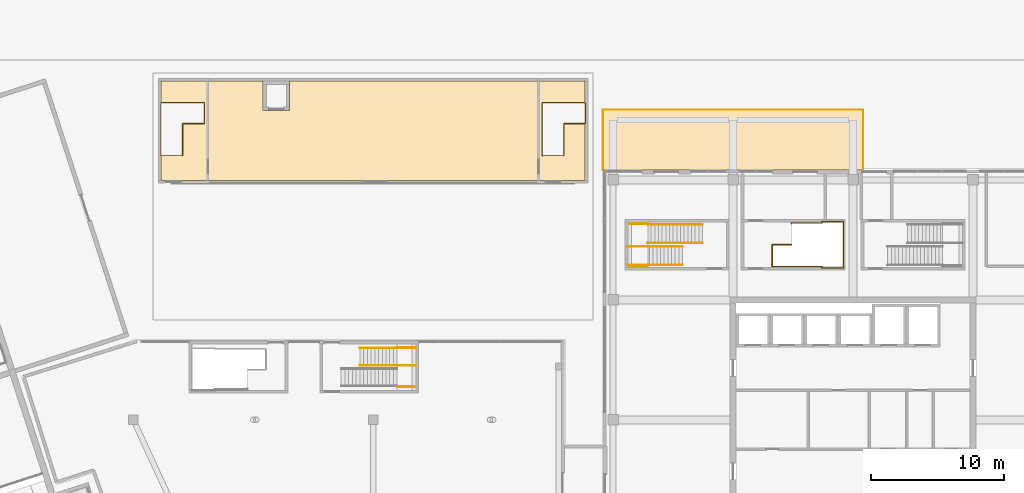
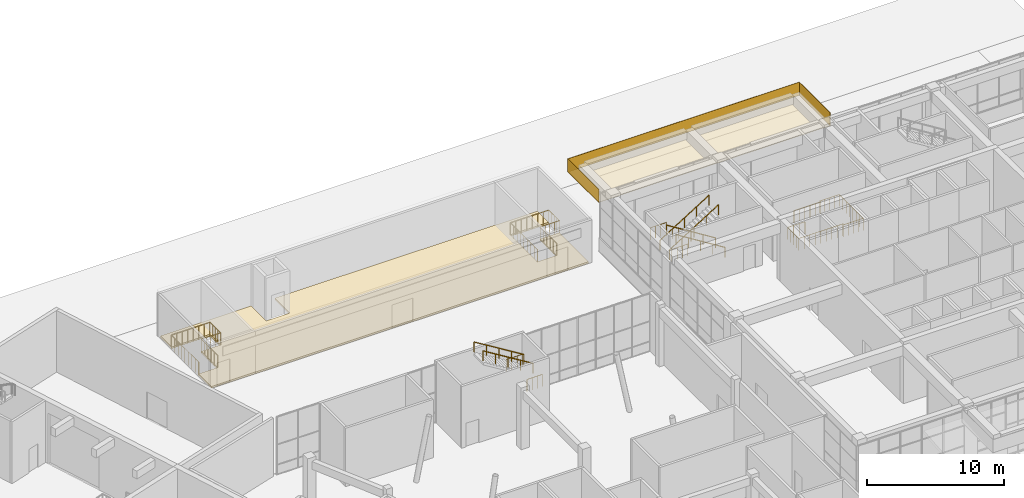
# One storey, part 69 of 72: 14 railings, 3 coverings.
"""IFC4 building model written with IfcOpenShell, lengths in metres."""

from ifc_helpers import new_model, si_unit, direction, frame, origin, origin_2d, place, context, subcontext, project, spatial, polyline, circle, outline, extrude, material, layer, layer_set, type_object, element, save


model = new_model("IFC4")

# Units and contexts
model_context = context("Model", 3, precision=1e-05, world=origin(), true_north=direction((0.0, 1.0)))
body_context = subcontext(model_context, "Body", "Model", "MODEL_VIEW")
ifc_project = project(units=[si_unit("LENGTHUNIT", "METRE"), si_unit("AREAUNIT", "SQUARE_METRE"), si_unit("VOLUMEUNIT", "CUBIC_METRE"), si_unit("PLANEANGLEUNIT", "RADIAN"), si_unit("MASSUNIT", "GRAM", prefix="KILO")], contexts=[model_context])

# Site, building, storey
site_placement = place(None, origin())
site = spatial("IfcSite", under=ifc_project, at=site_placement, CompositionType="ELEMENT")
building_placement = place(site_placement, origin())
building = spatial("IfcBuilding", under=site, at=building_placement, Name="Tuart Plaza Theatre", CompositionType="ELEMENT")
storey_placement = place(building_placement, origin())
storey = spatial("IfcBuildingStorey", under=building, at=storey_placement, Name="L00", CompositionType="ELEMENT", Elevation=0.0)

# Coverings
ifc_material_1 = material(Name="Stone paving", Category="masonry")
ifc_layer_1 = layer(ifc_material_1, 0.14990234375)
ifc_layer_set_1 = layer_set([ifc_layer_1], Name="COVERING-PAVING150")
covering_type_1 = type_object("IfcCoveringType", Name="COVERING-PAVING150", PredefinedType="FLOORING", material=ifc_layer_set_1)
covering_1_placement = place(storey_placement, frame((0.0, 0.0, -0.14990234375)))
element("IfcCovering", 1, at=covering_1_placement, inside=storey, type_object=covering_type_1, Name="D-COV-pavilion", PredefinedType="FLOORING", context=body_context, shape_type="SweptSolid", body=[
    extrude(outline(polyline([(111.89990234375, 91.949951171875), (111.89990234375, 96.219970703125), (110.300048828125, 96.219970703125), (110.300048828125, 93.820068359375), (108.675048828125, 93.820068359375), (108.675048828125, 97.77001953125), (111.89990234375, 97.77001953125), (111.89990234375, 99.39990234375), (89.739990234375, 99.39990234375), (89.739990234375, 97.199951171875), (87.739990234375, 97.199951171875), (87.739990234375, 99.39990234375), (80.10009765625, 99.39990234375), (80.10009765625, 97.77001953125), (83.324951171875, 97.77001953125), (83.324951171875, 96.219970703125), (81.699951171875, 96.219970703125), (81.699951171875, 93.820068359375), (80.10009765625, 93.820068359375), (80.10009765625, 91.949951171875), (111.89990234375, 91.949951171875)])), origin(), (0.0, 0.0, 1.0), 0.14990234375),
])
ifc_material_2 = material(Name="Zinc")
ifc_layer_2 = layer(ifc_material_2, 0.02490234375)
ifc_layer_set_2 = layer_set([ifc_layer_2], Name="COVERING-ZINC-FASCIA25")
covering_type_2 = type_object("IfcCoveringType", Name="COVERING-ZINC-FASCIA25", PredefinedType="CLADDING", material=ifc_layer_set_2)
covering_2_placement = place(storey_placement, frame((0.0, 0.0, 4.324951171875)))
element("IfcCovering", 2, at=covering_2_placement, inside=storey, type_object=covering_type_2, Name="CL85", PredefinedType="CLADDING", context=body_context, shape_type="SweptSolid", body=[
    extrude(outline(polyline([(113.22509765625, 92.72509765625), (113.22509765625, 97.27490234375), (132.77490234375, 97.27490234375), (132.77490234375, 92.750244140625), (132.75, 92.750244140625), (132.75, 97.25), (113.25, 97.25), (113.25, 92.750244140625), (113.25, 92.750244140625), (113.25, 92.750244140625), (113.25, 92.750244140625), (113.25, 92.75), (113.249755859375, 92.75), (113.249755859375, 92.75), (113.249755859375, 92.75), (113.249755859375, 92.75), (113.249755859375, 92.72509765625), (113.22509765625, 92.72509765625)])), origin(), (0.0, 0.0, 1.0), 1.175048828125),
])
ifc_material_3 = material(Name="Zinc")
ifc_layer_3 = layer(ifc_material_3, 0.02490234375)
ifc_layer_set_3 = layer_set([ifc_layer_3], Name="COVERING-ZINC-SOFFIT25")
covering_type_3 = type_object("IfcCoveringType", Name="COVERING-ZINC-SOFFIT25", PredefinedType="CLADDING", material=ifc_layer_set_3)
covering_3_placement = place(storey_placement, frame((0.0, 0.0, 4.324951171875)))
element("IfcCovering", 3, at=covering_3_placement, inside=storey, type_object=covering_type_3, Name="CL84", PredefinedType="CLADDING", context=body_context, shape_type="SweptSolid", body=[
    extrude(outline(polyline([(132.75, 97.25), (132.75, 92.75), (113.25, 92.75), (113.25, 97.25), (132.75, 97.25)])), origin(), (0.0, 0.0, 1.0), 0.025146484375),
])

# Railings
ifc_material_4 = material(Name="Steel Grade C350L0", Category="steel")
railing_type_1 = type_object("IfcRailingType", Name="RAILING Guard 1100", PredefinedType="GUARDRAIL", material=ifc_material_4)
railing_1_placement = place(storey_placement, frame((97.780029296875, 76.47509765625, 2.75)))
element("IfcRailing", 4, at=railing_1_placement, inside=storey, type_object=railing_type_1, Name="GR133", PredefinedType="GUARDRAIL", context=body_context, shape_type="SweptSolid", body=[
    extrude(circle(Radius=0.02490234375, at=origin_2d()), frame((0.0, 0.0, 1.0751953125), z_axis=(1.0, 0.0, 0.0), x_axis=(0.0, 1.0, 0.0)), (0.0, 0.0, 1.0), 1.300048828125),
    extrude(circle(Radius=0.02001953125, at=origin_2d()), origin(), (0.0, 0.0, 1.0), 1.050048828125),
    extrude(circle(Radius=0.02001953125, at=origin_2d()), frame((0.433349609375, 0.0, 0.0)), (0.0, 0.0, 1.0), 1.050048828125),
    extrude(circle(Radius=0.02001953125, at=origin_2d()), frame((0.86669921875, 0.0, 0.0)), (0.0, 0.0, 1.0), 1.050048828125),
    extrude(circle(Radius=0.02001953125, at=origin_2d()), frame((1.300048828125, 0.0, 0.0)), (0.0, 0.0, 1.0), 1.050048828125),
])
railing_2_placement = place(storey_placement, frame((99.080078125, 79.425048828125, 2.75)))
element("IfcRailing", 5, at=railing_2_placement, inside=storey, type_object=railing_type_1, Name="GR134", PredefinedType="GUARDRAIL", context=body_context, shape_type="SweptSolid", body=[
    extrude(circle(Radius=0.02490234375, at=origin_2d()), frame((0.0, 0.0, 1.0751953125), z_axis=(-1.0, 0.0, 0.0), x_axis=(0.0, -1.0, 0.0)), (0.0, 0.0, 1.0), 1.300048828125),
    extrude(circle(Radius=0.02001953125, at=origin_2d()), origin(), (0.0, 0.0, 1.0), 1.050048828125),
    extrude(circle(Radius=0.02001953125, at=origin_2d()), frame((-0.433349609375, 0.0, 0.0)), (0.0, 0.0, 1.0), 1.050048828125),
    extrude(circle(Radius=0.02001953125, at=origin_2d()), frame((-0.86669921875, 0.0, 0.0)), (0.0, 0.0, 1.0), 1.050048828125),
    extrude(circle(Radius=0.02001953125, at=origin_2d()), frame((-1.300048828125, 0.0, 0.0)), (0.0, 0.0, 1.0), 1.050048828125),
])
railing_3_placement = place(storey_placement, frame((116.60009765625, 88.699951171875, 2.75)))
element("IfcRailing", 6, at=railing_3_placement, inside=storey, type_object=railing_type_1, Name="GR360", PredefinedType="GUARDRAIL", context=body_context, shape_type="SweptSolid", body=[
    extrude(circle(Radius=0.02490234375, at=origin_2d()), frame((0.0, 0.0, 1.0751953125), z_axis=(-1.0, 0.0, 0.0), x_axis=(0.0, -1.0, 0.0)), (0.0, 0.0, 1.0), 1.380126953125),
    extrude(circle(Radius=0.02001953125, at=origin_2d()), origin(), (0.0, 0.0, 1.0), 1.050048828125),
    extrude(circle(Radius=0.02001953125, at=origin_2d()), frame((-0.4599609375, 0.0, 0.0)), (0.0, 0.0, 1.0), 1.050048828125),
    extrude(circle(Radius=0.02001953125, at=origin_2d()), frame((-0.920166015625, 0.0, 0.0)), (0.0, 0.0, 1.0), 1.050048828125),
    extrude(circle(Radius=0.02001953125, at=origin_2d()), frame((-1.380126953125, 0.0, 0.0)), (0.0, 0.0, 1.0), 1.050048828125),
])
railing_4_placement = place(storey_placement, frame((115.219970703125, 85.550048828125, 2.75)))
element("IfcRailing", 7, at=railing_4_placement, inside=storey, type_object=railing_type_1, Name="GR361", PredefinedType="GUARDRAIL", context=body_context, shape_type="SweptSolid", body=[
    extrude(circle(Radius=0.02490234375, at=origin_2d()), frame((0.0, 0.0, 1.0751953125), z_axis=(1.0, 0.0, 0.0), x_axis=(0.0, 1.0, 0.0)), (0.0, 0.0, 1.0), 1.380126953125),
    extrude(circle(Radius=0.02001953125, at=origin_2d()), origin(), (0.0, 0.0, 1.0), 1.050048828125),
    extrude(circle(Radius=0.02001953125, at=origin_2d()), frame((0.4599609375, 0.0, 0.0)), (0.0, 0.0, 1.0), 1.050048828125),
    extrude(circle(Radius=0.02001953125, at=origin_2d()), frame((0.920166015625, 0.0, 0.0)), (0.0, 0.0, 1.0), 1.050048828125),
    extrude(circle(Radius=0.02001953125, at=origin_2d()), frame((1.380126953125, 0.0, 0.0)), (0.0, 0.0, 1.0), 1.050048828125),
])
railing_5_placement = place(storey_placement, frame((125.929931640625, 85.5, 0.0)))
element("IfcRailing", 8, at=railing_5_placement, inside=storey, type_object=railing_type_1, Name="GR449", PredefinedType="GUARDRAIL", context=body_context, shape_type="SweptSolid", body=[
    extrude(circle(Radius=0.02490234375, at=origin_2d()), frame((0.0, 0.0, 1.0751953125), z_axis=(0.0, 1.0, 0.0), x_axis=(-1.0, 0.0, 0.0)), (0.0, 0.0, 1.0), 1.625),
    extrude(circle(Radius=0.02490234375, at=origin_2d()), frame((0.0, 1.625, 1.0751953125), z_axis=(1.0, 0.0, 0.0), x_axis=(0.0, 1.0, 0.0)), (0.0, 0.0, 1.0), 1.455078125),
    extrude(circle(Radius=0.02001953125, at=origin_2d()), origin(), (0.0, 0.0, 1.0), 1.050048828125),
    extrude(circle(Radius=0.02001953125, at=origin_2d()), frame((0.0, 0.40625, 0.0)), (0.0, 0.0, 1.0), 1.050048828125),
    extrude(circle(Radius=0.02001953125, at=origin_2d()), frame((0.0, 0.8125, 0.0)), (0.0, 0.0, 1.0), 1.050048828125),
    extrude(circle(Radius=0.02001953125, at=origin_2d()), frame((0.0, 1.21875, 0.0)), (0.0, 0.0, 1.0), 1.050048828125),
    extrude(circle(Radius=0.02001953125, at=origin_2d()), frame((0.0, 1.625, 0.0)), (0.0, 0.0, 1.0), 1.050048828125),
    extrude(circle(Radius=0.02001953125, at=origin_2d()), frame((0.485107421875, 1.625, 0.0)), (0.0, 0.0, 1.0), 1.050048828125),
    extrude(circle(Radius=0.02001953125, at=origin_2d()), frame((0.969970703125, 1.625, 0.0)), (0.0, 0.0, 1.0), 1.050048828125),
    extrude(circle(Radius=0.02001953125, at=origin_2d()), frame((1.455078125, 1.625, 0.0)), (0.0, 0.0, 1.0), 1.050048828125),
])
railing_6_placement = place(storey_placement, frame((127.389892578125, 88.705078125, 0.0)))
element("IfcRailing", 9, at=railing_6_placement, inside=storey, type_object=railing_type_1, Name="GR450", PredefinedType="GUARDRAIL", context=body_context, shape_type="SweptSolid", body=[
    extrude(circle(Radius=0.02490234375, at=origin_2d()), frame((0.0, 0.0, 1.0751953125), z_axis=(0.0, 1.0, 0.0), x_axis=(-1.0, 0.0, 0.0)), (0.0, 0.0, 1.0), 0.044921875),
    extrude(circle(Radius=0.02490234375, at=origin_2d()), frame((0.0, 0.044921875, 1.0751953125), z_axis=(1.0, 0.0, 0.0), x_axis=(0.0, 1.0, 0.0)), (0.0, 0.0, 1.0), 2.260009765625),
    extrude(circle(Radius=0.02490234375, at=origin_2d()), frame((2.260009765625, 0.044921875, 1.0751953125), z_axis=(0.0, 1.0, 0.0), x_axis=(-1.0, 0.0, 0.0)), (0.0, 0.0, 1.0), 0.123046875),
    extrude(circle(Radius=0.02490234375, at=origin_2d()), frame((2.260009765625, 0.16796875, 1.0751953125), z_axis=(1.0, 0.0, 0.0), x_axis=(0.0, 1.0, 0.0)), (0.0, 0.0, 1.0), 1.630126953125),
    extrude(circle(Radius=0.02490234375, at=origin_2d()), frame((3.89013671875, 0.16796875, 1.0751953125), z_axis=(0.0, -1.0, 0.0), x_axis=(1.0, 0.0, 0.0)), (0.0, 0.0, 1.0), 3.49609375),
    extrude(circle(Radius=0.02490234375, at=origin_2d()), frame((3.89013671875, -3.328125, 1.0751953125), z_axis=(-1.0, 0.0, 0.0), x_axis=(0.0, -1.0, 0.0)), (0.0, 0.0, 1.0), 1.630126953125),
    extrude(circle(Radius=0.02490234375, at=origin_2d()), frame((2.260009765625, -3.328125, 1.0751953125), z_axis=(0.0, 1.0, 0.0), x_axis=(-1.0, 0.0, 0.0)), (0.0, 0.0, 1.0), 0.123046875),
    extrude(circle(Radius=0.02490234375, at=origin_2d()), frame((2.260009765625, -3.205078125, 1.0751953125), z_axis=(-1.0, 0.0, 0.0), x_axis=(0.0, -1.0, 0.0)), (0.0, 0.0, 1.0), 3.719970703125),
    extrude(circle(Radius=0.02001953125, at=origin_2d()), origin(), (0.0, 0.0, 1.0), 1.050048828125),
    extrude(circle(Radius=0.02001953125, at=origin_2d()), frame((0.0, 0.044921875, 0.0)), (0.0, 0.0, 1.0), 1.050048828125),
    extrude(circle(Radius=0.02001953125, at=origin_2d()), frame((0.451904296875, 0.044921875, 0.0)), (0.0, 0.0, 1.0), 1.050048828125),
    extrude(circle(Radius=0.02001953125, at=origin_2d()), frame((0.904052734375, 0.044921875, 0.0)), (0.0, 0.0, 1.0), 1.050048828125),
    extrude(circle(Radius=0.02001953125, at=origin_2d()), frame((1.35595703125, 0.044921875, 0.0)), (0.0, 0.0, 1.0), 1.050048828125),
    extrude(circle(Radius=0.02001953125, at=origin_2d()), frame((1.80810546875, 0.044921875, 0.0)), (0.0, 0.0, 1.0), 1.050048828125),
    extrude(circle(Radius=0.02001953125, at=origin_2d()), frame((2.260009765625, 0.044921875, 0.0)), (0.0, 0.0, 1.0), 1.050048828125),
    extrude(circle(Radius=0.02001953125, at=origin_2d()), frame((2.260009765625, 0.16796875, 0.0)), (0.0, 0.0, 1.0), 1.050048828125),
    extrude(circle(Radius=0.02001953125, at=origin_2d()), frame((2.66748046875, 0.16796875, 0.0)), (0.0, 0.0, 1.0), 1.050048828125),
    extrude(circle(Radius=0.02001953125, at=origin_2d()), frame((3.0751953125, 0.16796875, 0.0)), (0.0, 0.0, 1.0), 1.050048828125),
    extrude(circle(Radius=0.02001953125, at=origin_2d()), frame((3.482666015625, 0.16796875, 0.0)), (0.0, 0.0, 1.0), 1.050048828125),
    extrude(circle(Radius=0.02001953125, at=origin_2d()), frame((3.89013671875, 0.16796875, 0.0)), (0.0, 0.0, 1.0), 1.050048828125),
    extrude(circle(Radius=0.02001953125, at=origin_2d()), frame((3.89013671875, -0.33154296875, 0.0)), (0.0, 0.0, 1.0), 1.050048828125),
    extrude(circle(Radius=0.02001953125, at=origin_2d()), frame((3.89013671875, -0.830810546875, 0.0)), (0.0, 0.0, 1.0), 1.050048828125),
    extrude(circle(Radius=0.02001953125, at=origin_2d()), frame((3.89013671875, -1.330322265625, 0.0)), (0.0, 0.0, 1.0), 1.050048828125),
    extrude(circle(Radius=0.02001953125, at=origin_2d()), frame((3.89013671875, -1.829833984375, 0.0)), (0.0, 0.0, 1.0), 1.050048828125),
    extrude(circle(Radius=0.02001953125, at=origin_2d()), frame((3.89013671875, -2.329345703125, 0.0)), (0.0, 0.0, 1.0), 1.050048828125),
    extrude(circle(Radius=0.02001953125, at=origin_2d()), frame((3.89013671875, -2.82861328125, 0.0)), (0.0, 0.0, 1.0), 1.050048828125),
    extrude(circle(Radius=0.02001953125, at=origin_2d()), frame((3.89013671875, -3.328125, 0.0)), (0.0, 0.0, 1.0), 1.050048828125),
    extrude(circle(Radius=0.02001953125, at=origin_2d()), frame((3.482666015625, -3.328125, 0.0)), (0.0, 0.0, 1.0), 1.050048828125),
    extrude(circle(Radius=0.02001953125, at=origin_2d()), frame((3.0751953125, -3.328125, 0.0)), (0.0, 0.0, 1.0), 1.050048828125),
    extrude(circle(Radius=0.02001953125, at=origin_2d()), frame((2.66748046875, -3.328125, 0.0)), (0.0, 0.0, 1.0), 1.050048828125),
    extrude(circle(Radius=0.02001953125, at=origin_2d()), frame((2.260009765625, -3.328125, 0.0)), (0.0, 0.0, 1.0), 1.050048828125),
    extrude(circle(Radius=0.02001953125, at=origin_2d()), frame((2.260009765625, -3.205078125, 0.0)), (0.0, 0.0, 1.0), 1.050048828125),
    extrude(circle(Radius=0.02001953125, at=origin_2d()), frame((1.794921875, -3.205078125, 0.0)), (0.0, 0.0, 1.0), 1.050048828125),
    extrude(circle(Radius=0.02001953125, at=origin_2d()), frame((1.330078125, -3.205078125, 0.0)), (0.0, 0.0, 1.0), 1.050048828125),
    extrude(circle(Radius=0.02001953125, at=origin_2d()), frame((0.864990234375, -3.205078125, 0.0)), (0.0, 0.0, 1.0), 1.050048828125),
    extrude(circle(Radius=0.02001953125, at=origin_2d()), frame((0.39990234375, -3.205078125, 0.0)), (0.0, 0.0, 1.0), 1.050048828125),
    extrude(circle(Radius=0.02001953125, at=origin_2d()), frame((-0.06494140625, -3.205078125, 0.0)), (0.0, 0.0, 1.0), 1.050048828125),
    extrude(circle(Radius=0.02001953125, at=origin_2d()), frame((-0.530029296875, -3.205078125, 0.0)), (0.0, 0.0, 1.0), 1.050048828125),
    extrude(circle(Radius=0.02001953125, at=origin_2d()), frame((-0.994873046875, -3.205078125, 0.0)), (0.0, 0.0, 1.0), 1.050048828125),
    extrude(circle(Radius=0.02001953125, at=origin_2d()), frame((-1.4599609375, -3.205078125, 0.0)), (0.0, 0.0, 1.0), 1.050048828125),
])
ifc_material_5 = material(Name="Steel Grade C350L0", Category="steel")
railing_type_2 = type_object("IfcRailingType", Name="RAILING Guard 1250", PredefinedType="GUARDRAIL", material=ifc_material_5)
railing_7_placement = place(storey_placement, frame((81.699951171875, 93.824951171875, -0.14990234375)))
element("IfcRailing", 10, at=railing_7_placement, inside=storey, type_object=railing_type_2, Name="GR465", PredefinedType="GUARDRAIL", context=body_context, shape_type="SweptSolid", body=[
    extrude(circle(Radius=0.02490234375, at=origin_2d()), frame((0.0, 0.0, 1.22509765625), z_axis=(0.0, 1.0, 0.0), x_axis=(-1.0, 0.0, 0.0)), (0.0, 0.0, 1.0), 2.39501953125),
    extrude(circle(Radius=0.02490234375, at=origin_2d()), frame((0.0, 2.39501953125, 1.22509765625), z_axis=(1.0, 0.0, 0.0), x_axis=(0.0, 1.0, 0.0)), (0.0, 0.0, 1.0), 1.625),
    extrude(circle(Radius=0.02490234375, at=origin_2d()), frame((1.625, 2.39501953125, 1.22509765625), z_axis=(0.0, 1.0, 0.0), x_axis=(-1.0, 0.0, 0.0)), (0.0, 0.0, 1.0), 1.550048828125),
    extrude(circle(Radius=0.02490234375, at=origin_2d()), frame((1.625, 3.945068359375, 1.22509765625), z_axis=(-1.0, 0.0, 0.0), x_axis=(0.0, -1.0, 0.0)), (0.0, 0.0, 1.0), 3.25),
    extrude(circle(Radius=0.02490234375, at=origin_2d()), frame((-1.625, 3.945068359375, 1.22509765625), z_axis=(0.0, -1.0, 0.0), x_axis=(1.0, 0.0, 0.0)), (0.0, 0.0, 1.0), 3.949951171875),
    extrude(circle(Radius=0.02490234375, at=origin_2d()), frame((-1.625, -0.0048828125, 1.22509765625), z_axis=(1.0, 0.0, 0.0), x_axis=(0.0, 1.0, 0.0)), (0.0, 0.0, 1.0), 0.045166015625),
    extrude(circle(Radius=0.02001953125, at=origin_2d()), origin(), (0.0, 0.0, 1.0), 1.199951171875),
    extrude(circle(Radius=0.02001953125, at=origin_2d()), frame((0.0, 0.47900390625, 0.0)), (0.0, 0.0, 1.0), 1.199951171875),
    extrude(circle(Radius=0.02001953125, at=origin_2d()), frame((0.0, 0.9580078125, 0.0)), (0.0, 0.0, 1.0), 1.199951171875),
    extrude(circle(Radius=0.02001953125, at=origin_2d()), frame((0.0, 1.43701171875, 0.0)), (0.0, 0.0, 1.0), 1.199951171875),
    extrude(circle(Radius=0.02001953125, at=origin_2d()), frame((0.0, 1.916015625, 0.0)), (0.0, 0.0, 1.0), 1.199951171875),
    extrude(circle(Radius=0.02001953125, at=origin_2d()), frame((0.0, 2.39501953125, 0.0)), (0.0, 0.0, 1.0), 1.199951171875),
    extrude(circle(Radius=0.02001953125, at=origin_2d()), frame((0.40625, 2.39501953125, 0.0)), (0.0, 0.0, 1.0), 1.199951171875),
    extrude(circle(Radius=0.02001953125, at=origin_2d()), frame((0.8125, 2.39501953125, 0.0)), (0.0, 0.0, 1.0), 1.199951171875),
    extrude(circle(Radius=0.02001953125, at=origin_2d()), frame((1.21875, 2.39501953125, 0.0)), (0.0, 0.0, 1.0), 1.199951171875),
    extrude(circle(Radius=0.02001953125, at=origin_2d()), frame((1.625, 2.39501953125, 0.0)), (0.0, 0.0, 1.0), 1.199951171875),
    extrude(circle(Radius=0.02001953125, at=origin_2d()), frame((1.625, 2.782470703125, 0.0)), (0.0, 0.0, 1.0), 1.199951171875),
    extrude(circle(Radius=0.02001953125, at=origin_2d()), frame((1.625, 3.169921875, 0.0)), (0.0, 0.0, 1.0), 1.199951171875),
    extrude(circle(Radius=0.02001953125, at=origin_2d()), frame((1.625, 3.5576171875, 0.0)), (0.0, 0.0, 1.0), 1.199951171875),
    extrude(circle(Radius=0.02001953125, at=origin_2d()), frame((1.625, 3.945068359375, 0.0)), (0.0, 0.0, 1.0), 1.199951171875),
    extrude(circle(Radius=0.02001953125, at=origin_2d()), frame((1.16064453125, 3.945068359375, 0.0)), (0.0, 0.0, 1.0), 1.199951171875),
    extrude(circle(Radius=0.02001953125, at=origin_2d()), frame((0.696533203125, 3.945068359375, 0.0)), (0.0, 0.0, 1.0), 1.199951171875),
    extrude(circle(Radius=0.02001953125, at=origin_2d()), frame((0.232177734375, 3.945068359375, 0.0)), (0.0, 0.0, 1.0), 1.199951171875),
    extrude(circle(Radius=0.02001953125, at=origin_2d()), frame((-0.232177734375, 3.945068359375, 0.0)), (0.0, 0.0, 1.0), 1.199951171875),
    extrude(circle(Radius=0.02001953125, at=origin_2d()), frame((-0.696533203125, 3.945068359375, 0.0)), (0.0, 0.0, 1.0), 1.199951171875),
    extrude(circle(Radius=0.02001953125, at=origin_2d()), frame((-1.16064453125, 3.945068359375, 0.0)), (0.0, 0.0, 1.0), 1.199951171875),
    extrude(circle(Radius=0.02001953125, at=origin_2d()), frame((-1.625, 3.945068359375, 0.0)), (0.0, 0.0, 1.0), 1.199951171875),
    extrude(circle(Radius=0.02001953125, at=origin_2d()), frame((-1.625, 3.451416015625, 0.0)), (0.0, 0.0, 1.0), 1.199951171875),
    extrude(circle(Radius=0.02001953125, at=origin_2d()), frame((-1.625, 2.95751953125, 0.0)), (0.0, 0.0, 1.0), 1.199951171875),
    extrude(circle(Radius=0.02001953125, at=origin_2d()), frame((-1.625, 2.4638671875, 0.0)), (0.0, 0.0, 1.0), 1.199951171875),
    extrude(circle(Radius=0.02001953125, at=origin_2d()), frame((-1.625, 1.97021484375, 0.0)), (0.0, 0.0, 1.0), 1.199951171875),
    extrude(circle(Radius=0.02001953125, at=origin_2d()), frame((-1.625, 1.476318359375, 0.0)), (0.0, 0.0, 1.0), 1.199951171875),
    extrude(circle(Radius=0.02001953125, at=origin_2d()), frame((-1.625, 0.982666015625, 0.0)), (0.0, 0.0, 1.0), 1.199951171875),
    extrude(circle(Radius=0.02001953125, at=origin_2d()), frame((-1.625, 0.48876953125, 0.0)), (0.0, 0.0, 1.0), 1.199951171875),
    extrude(circle(Radius=0.02001953125, at=origin_2d()), frame((-1.625, -0.0048828125, 0.0)), (0.0, 0.0, 1.0), 1.199951171875),
    extrude(circle(Radius=0.02001953125, at=origin_2d()), frame((-1.579833984375, -0.0048828125, 0.0)), (0.0, 0.0, 1.0), 1.199951171875),
])
railing_8_placement = place(storey_placement, frame((110.300048828125, 93.824951171875, -0.14990234375)))
element("IfcRailing", 11, at=railing_8_placement, inside=storey, type_object=railing_type_2, Name="GR469", PredefinedType="GUARDRAIL", context=body_context, shape_type="SweptSolid", body=[
    extrude(circle(Radius=0.02490234375, at=origin_2d()), frame((0.0, 0.0, 1.22509765625), z_axis=(0.0, 1.0, 0.0), x_axis=(-1.0, 0.0, 0.0)), (0.0, 0.0, 1.0), 2.39501953125),
    extrude(circle(Radius=0.02490234375, at=origin_2d()), frame((0.0, 2.39501953125, 1.22509765625), z_axis=(1.0, 0.0, 0.0), x_axis=(0.0, 1.0, 0.0)), (0.0, 0.0, 1.0), 1.625),
    extrude(circle(Radius=0.02490234375, at=origin_2d()), frame((1.625, 2.39501953125, 1.22509765625), z_axis=(0.0, 1.0, 0.0), x_axis=(-1.0, 0.0, 0.0)), (0.0, 0.0, 1.0), 1.550048828125),
    extrude(circle(Radius=0.02490234375, at=origin_2d()), frame((1.625, 3.945068359375, 1.22509765625), z_axis=(-1.0, 0.0, 0.0), x_axis=(0.0, -1.0, 0.0)), (0.0, 0.0, 1.0), 3.25),
    extrude(circle(Radius=0.02490234375, at=origin_2d()), frame((-1.625, 3.945068359375, 1.22509765625), z_axis=(0.0, -1.0, 0.0), x_axis=(1.0, 0.0, 0.0)), (0.0, 0.0, 1.0), 3.949951171875),
    extrude(circle(Radius=0.02490234375, at=origin_2d()), frame((-1.625, -0.0048828125, 1.22509765625), z_axis=(1.0, 0.0, 0.0), x_axis=(0.0, 1.0, 0.0)), (0.0, 0.0, 1.0), 0.044921875),
    extrude(circle(Radius=0.02001953125, at=origin_2d()), origin(), (0.0, 0.0, 1.0), 1.199951171875),
    extrude(circle(Radius=0.02001953125, at=origin_2d()), frame((0.0, 0.47900390625, 0.0)), (0.0, 0.0, 1.0), 1.199951171875),
    extrude(circle(Radius=0.02001953125, at=origin_2d()), frame((0.0, 0.9580078125, 0.0)), (0.0, 0.0, 1.0), 1.199951171875),
    extrude(circle(Radius=0.02001953125, at=origin_2d()), frame((0.0, 1.43701171875, 0.0)), (0.0, 0.0, 1.0), 1.199951171875),
    extrude(circle(Radius=0.02001953125, at=origin_2d()), frame((0.0, 1.916015625, 0.0)), (0.0, 0.0, 1.0), 1.199951171875),
    extrude(circle(Radius=0.02001953125, at=origin_2d()), frame((0.0, 2.39501953125, 0.0)), (0.0, 0.0, 1.0), 1.199951171875),
    extrude(circle(Radius=0.02001953125, at=origin_2d()), frame((0.40625, 2.39501953125, 0.0)), (0.0, 0.0, 1.0), 1.199951171875),
    extrude(circle(Radius=0.02001953125, at=origin_2d()), frame((0.8125, 2.39501953125, 0.0)), (0.0, 0.0, 1.0), 1.199951171875),
    extrude(circle(Radius=0.02001953125, at=origin_2d()), frame((1.21875, 2.39501953125, 0.0)), (0.0, 0.0, 1.0), 1.199951171875),
    extrude(circle(Radius=0.02001953125, at=origin_2d()), frame((1.625, 2.39501953125, 0.0)), (0.0, 0.0, 1.0), 1.199951171875),
    extrude(circle(Radius=0.02001953125, at=origin_2d()), frame((1.625, 2.782470703125, 0.0)), (0.0, 0.0, 1.0), 1.199951171875),
    extrude(circle(Radius=0.02001953125, at=origin_2d()), frame((1.625, 3.169921875, 0.0)), (0.0, 0.0, 1.0), 1.199951171875),
    extrude(circle(Radius=0.02001953125, at=origin_2d()), frame((1.625, 3.5576171875, 0.0)), (0.0, 0.0, 1.0), 1.199951171875),
    extrude(circle(Radius=0.02001953125, at=origin_2d()), frame((1.625, 3.945068359375, 0.0)), (0.0, 0.0, 1.0), 1.199951171875),
    extrude(circle(Radius=0.02001953125, at=origin_2d()), frame((1.16064453125, 3.945068359375, 0.0)), (0.0, 0.0, 1.0), 1.199951171875),
    extrude(circle(Radius=0.02001953125, at=origin_2d()), frame((0.696533203125, 3.945068359375, 0.0)), (0.0, 0.0, 1.0), 1.199951171875),
    extrude(circle(Radius=0.02001953125, at=origin_2d()), frame((0.232177734375, 3.945068359375, 0.0)), (0.0, 0.0, 1.0), 1.199951171875),
    extrude(circle(Radius=0.02001953125, at=origin_2d()), frame((-0.232177734375, 3.945068359375, 0.0)), (0.0, 0.0, 1.0), 1.199951171875),
    extrude(circle(Radius=0.02001953125, at=origin_2d()), frame((-0.696533203125, 3.945068359375, 0.0)), (0.0, 0.0, 1.0), 1.199951171875),
    extrude(circle(Radius=0.02001953125, at=origin_2d()), frame((-1.16064453125, 3.945068359375, 0.0)), (0.0, 0.0, 1.0), 1.199951171875),
    extrude(circle(Radius=0.02001953125, at=origin_2d()), frame((-1.625, 3.945068359375, 0.0)), (0.0, 0.0, 1.0), 1.199951171875),
    extrude(circle(Radius=0.02001953125, at=origin_2d()), frame((-1.625, 3.451416015625, 0.0)), (0.0, 0.0, 1.0), 1.199951171875),
    extrude(circle(Radius=0.02001953125, at=origin_2d()), frame((-1.625, 2.95751953125, 0.0)), (0.0, 0.0, 1.0), 1.199951171875),
    extrude(circle(Radius=0.02001953125, at=origin_2d()), frame((-1.625, 2.4638671875, 0.0)), (0.0, 0.0, 1.0), 1.199951171875),
    extrude(circle(Radius=0.02001953125, at=origin_2d()), frame((-1.625, 1.97021484375, 0.0)), (0.0, 0.0, 1.0), 1.199951171875),
    extrude(circle(Radius=0.02001953125, at=origin_2d()), frame((-1.625, 1.476318359375, 0.0)), (0.0, 0.0, 1.0), 1.199951171875),
    extrude(circle(Radius=0.02001953125, at=origin_2d()), frame((-1.625, 0.982666015625, 0.0)), (0.0, 0.0, 1.0), 1.199951171875),
    extrude(circle(Radius=0.02001953125, at=origin_2d()), frame((-1.625, 0.48876953125, 0.0)), (0.0, 0.0, 1.0), 1.199951171875),
    extrude(circle(Radius=0.02001953125, at=origin_2d()), frame((-1.625, -0.0048828125, 0.0)), (0.0, 0.0, 1.0), 1.199951171875),
    extrude(circle(Radius=0.02001953125, at=origin_2d()), frame((-1.580078125, -0.0048828125, 0.0)), (0.0, 0.0, 1.0), 1.199951171875),
])
ifc_material_6 = material(Name="Steel Grade C350L0", Category="steel")
railing_type_3 = type_object("IfcRailingType", Name="RAILING Handrail 900", PredefinedType="HANDRAIL", material=ifc_material_6)
for number, where, name in (
    (12, (99.199951171875, 78.074951171875, 2.921875), "HR69"),
    (13, (99.199951171875, 79.375, 2.921875), "HR70"),
):
    element("IfcRailing", number, at=place(storey_placement, frame(where)), inside=storey, type_object=railing_type_3, Name=name, PredefinedType="HANDRAIL", context=body_context, shape_type="SweptSolid", body=[
        extrude(circle(Radius=0.0224609375, at=origin_2d()), frame((0.0, 0.0, 0.87744140625), z_axis=(-0.852242915053, 0.0, 0.523146264196), x_axis=(0.0, -1.0, 0.0)), (0.0, 0.0, 1.0), 4.92822265625),
        extrude(circle(Radius=0.01513671875, at=origin_2d()), origin(), (0.0, 0.0, 1.0), 0.85498046875),
        extrude(circle(Radius=0.01513671875, at=origin_2d()), frame((-1.050048828125, 0.0, 0.64453125)), (0.0, 0.0, 1.0), 0.85498046875),
        extrude(circle(Radius=0.01513671875, at=origin_2d()), frame((-2.10009765625, 0.0, 1.2890625)), (0.0, 0.0, 1.0), 0.85498046875),
        extrude(circle(Radius=0.01513671875, at=origin_2d()), frame((-3.14990234375, 0.0, 1.93359375)), (0.0, 0.0, 1.0), 0.85498046875),
        extrude(circle(Radius=0.01513671875, at=origin_2d()), frame((-4.199951171875, 0.0, 2.578125)), (0.0, 0.0, 1.0), 0.85498046875),
    ])
for number, where, name in (
    (14, (120.705078125, 87.25, 0.171875), "HR243"),
    (15, (120.705078125, 88.64990234375, 0.171875), "HR244"),
):
    element("IfcRailing", number, at=place(storey_placement, frame(where)), inside=storey, type_object=railing_type_3, Name=name, PredefinedType="HANDRAIL", context=body_context, shape_type="SweptSolid", body=[
        extrude(circle(Radius=0.0224609375, at=origin_2d()), frame((0.0, 0.0, 0.87744140625), z_axis=(-0.847998304005, 0.0, 0.529998940003), x_axis=(0.0, -1.0, 0.0)), (0.0, 0.0, 1.0), 4.864501953125),
        extrude(circle(Radius=0.01513671875, at=origin_2d()), origin(), (0.0, 0.0, 1.0), 0.85498046875),
        extrude(circle(Radius=0.01513671875, at=origin_2d()), frame((-1.03125, 0.0, 0.64453125)), (0.0, 0.0, 1.0), 0.85498046875),
        extrude(circle(Radius=0.01513671875, at=origin_2d()), frame((-2.0625, 0.0, 1.2890625)), (0.0, 0.0, 1.0), 0.85498046875),
        extrude(circle(Radius=0.01513671875, at=origin_2d()), frame((-3.09375, 0.0, 1.93359375)), (0.0, 0.0, 1.0), 0.85498046875),
        extrude(circle(Radius=0.01513671875, at=origin_2d()), frame((-4.125, 0.0, 2.578125)), (0.0, 0.0, 1.0), 0.85498046875),
    ])
for number, where, name in (
    (16, (115.080078125, 87.0, 2.921875), "HR245"),
    (17, (115.080078125, 85.60009765625, 2.921875), "HR246"),
):
    element("IfcRailing", number, at=place(storey_placement, frame(where)), inside=storey, type_object=railing_type_3, Name=name, PredefinedType="HANDRAIL", context=body_context, shape_type="SweptSolid", body=[
        extrude(circle(Radius=0.0224609375, at=origin_2d()), frame((0.0, 0.0, 0.87744140625), z_axis=(0.847998304005, 0.0, 0.529998940003), x_axis=(0.0, 1.0, 0.0)), (0.0, 0.0, 1.0), 4.864501953125),
        extrude(circle(Radius=0.01513671875, at=origin_2d()), origin(), (0.0, 0.0, 1.0), 0.85498046875),
        extrude(circle(Radius=0.01513671875, at=origin_2d()), frame((1.03125, 0.0, 0.64453125)), (0.0, 0.0, 1.0), 0.85498046875),
        extrude(circle(Radius=0.01513671875, at=origin_2d()), frame((2.0625, 0.0, 1.2890625)), (0.0, 0.0, 1.0), 0.85498046875),
        extrude(circle(Radius=0.01513671875, at=origin_2d()), frame((3.09375, 0.0, 1.93359375)), (0.0, 0.0, 1.0), 0.85498046875),
        extrude(circle(Radius=0.01513671875, at=origin_2d()), frame((4.125, 0.0, 2.578125)), (0.0, 0.0, 1.0), 0.85498046875),
    ])

save(model, "model.ifc")
